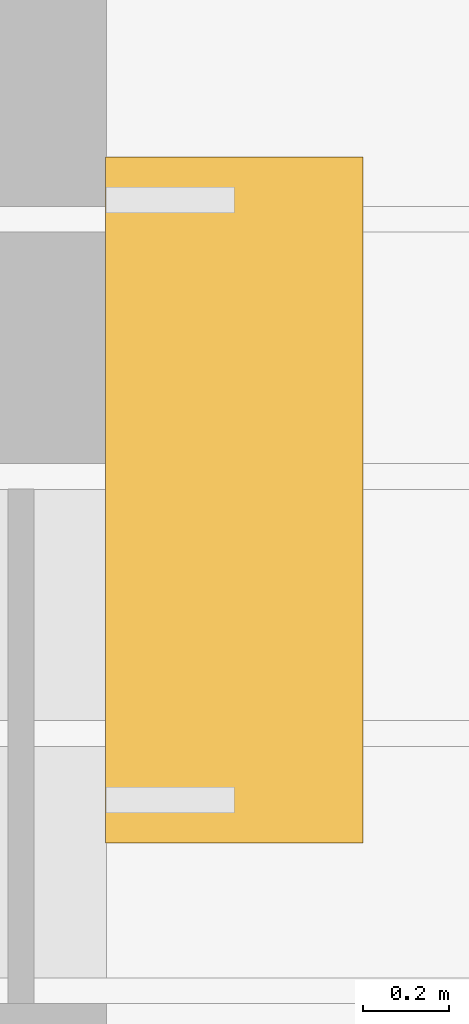
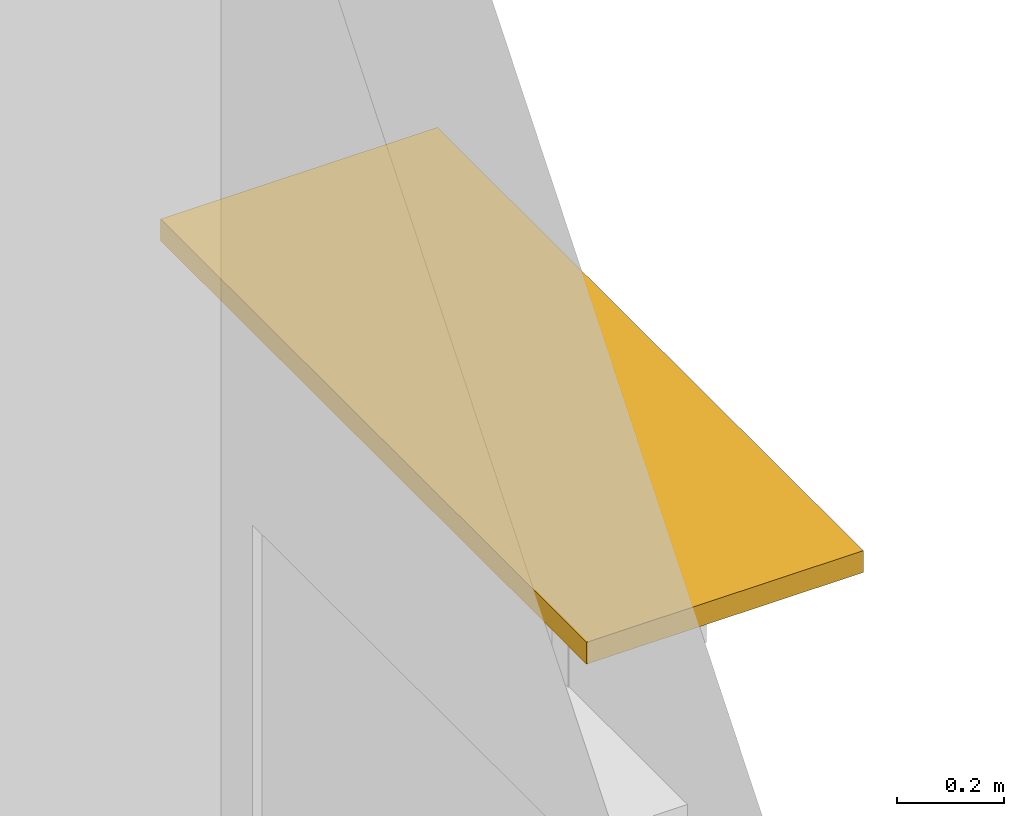
# One storey, part 48 of 82: 1 shading device.
"""IFC4 building model written with IfcOpenShell, lengths in metres."""

from ifc_helpers import new_model, si_unit, direction, frame, origin, origin_2d, place, context, subcontext, project, spatial, rectangle, extrude, material, material_profile, profile_set, type_object, element, save


model = new_model("IFC4")

# Units and contexts
model_context = context("Model", 3, precision=1e-05, world=origin(), true_north=direction((0.0, 1.0)))
body_context = subcontext(model_context, "Body", "Model", "MODEL_VIEW")
ifc_project = project(units=[si_unit("LENGTHUNIT", "METRE"), si_unit("AREAUNIT", "SQUARE_METRE"), si_unit("VOLUMEUNIT", "CUBIC_METRE"), si_unit("PLANEANGLEUNIT", "RADIAN"), si_unit("MASSUNIT", "GRAM", prefix="KILO")], contexts=[model_context])

# Site, building, storey
site_placement = place(None, origin())
site = spatial("IfcSite", under=ifc_project, at=site_placement, CompositionType="ELEMENT")
building_placement = place(site_placement, origin())
building = spatial("IfcBuilding", under=site, at=building_placement, Name="Almond Square Museum", CompositionType="ELEMENT")
storey_placement = place(building_placement, frame((0.0, 0.0, 20.0)))
storey = spatial("IfcBuildingStorey", under=building, at=storey_placement, Name="L03", CompositionType="ELEMENT", Elevation=20.0)

# Shading device
ifc_material = material(Name="Anodised aluminium", Category="aluminium")
ifc_material_profile = material_profile(ifc_material, rectangle(XDim=0.60009765625, YDim=0.050048828125, at=origin_2d()))
ifc_profile_set = profile_set([ifc_material_profile], Name="Anodised aluminium")
shading_device_type = type_object("IfcShadingDeviceType", Name="Sun-shade blade 600 x 50", PredefinedType="USERDEFINED", material=ifc_profile_set)
shading_device_placement = place(storey_placement, frame((23.222900390625, 28.425048828125, 3.1201171875), z_axis=(0.0, 1.0, 0.0), x_axis=(-1.0, 0.0, 0.0)))
element("IfcShadingDevice", 1, at=shading_device_placement, inside=storey, type_object=shading_device_type, Name="Sun-shade blade", ObjectType="LOUVRE", PredefinedType="USERDEFINED", context=body_context, shape_type="SweptSolid", body=[
    extrude(rectangle(XDim=0.60009765625, YDim=0.050048828125, at=origin_2d()), origin(), (0.0, 0.0, 1.0), 1.599853515625),
])

save(model, "model.ifc")
